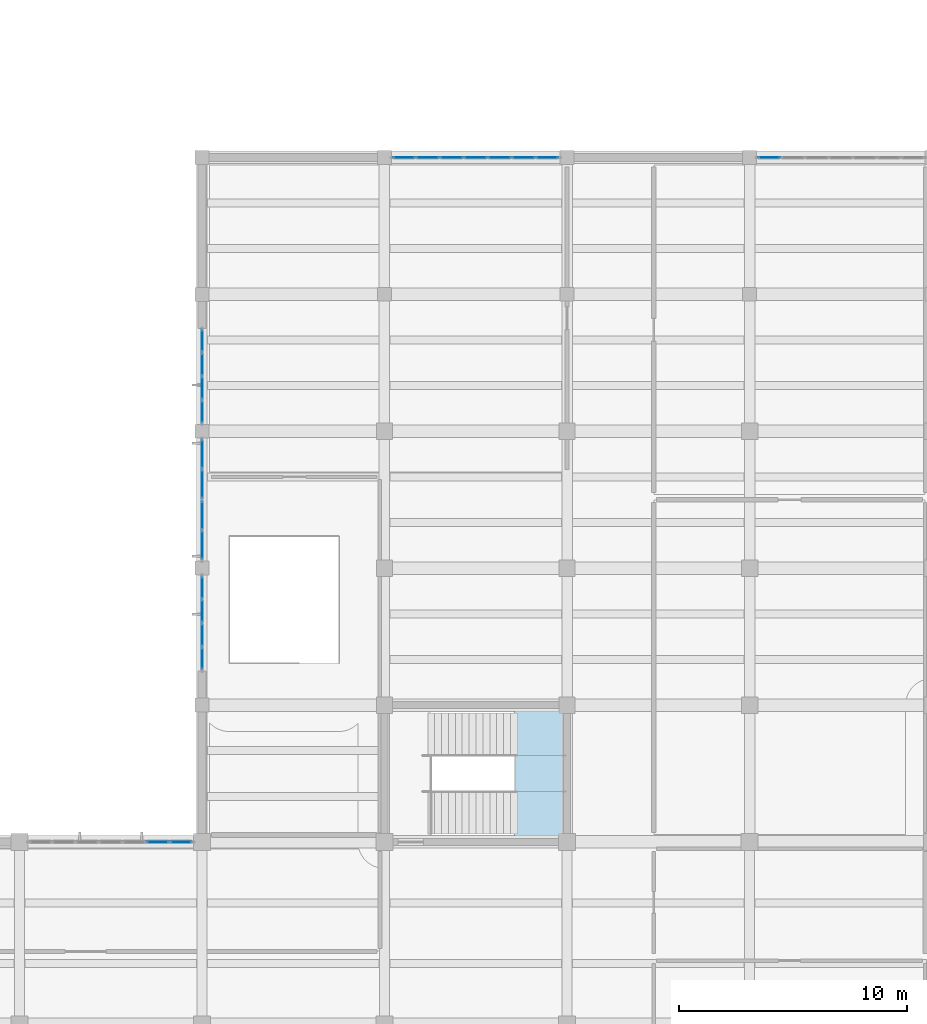
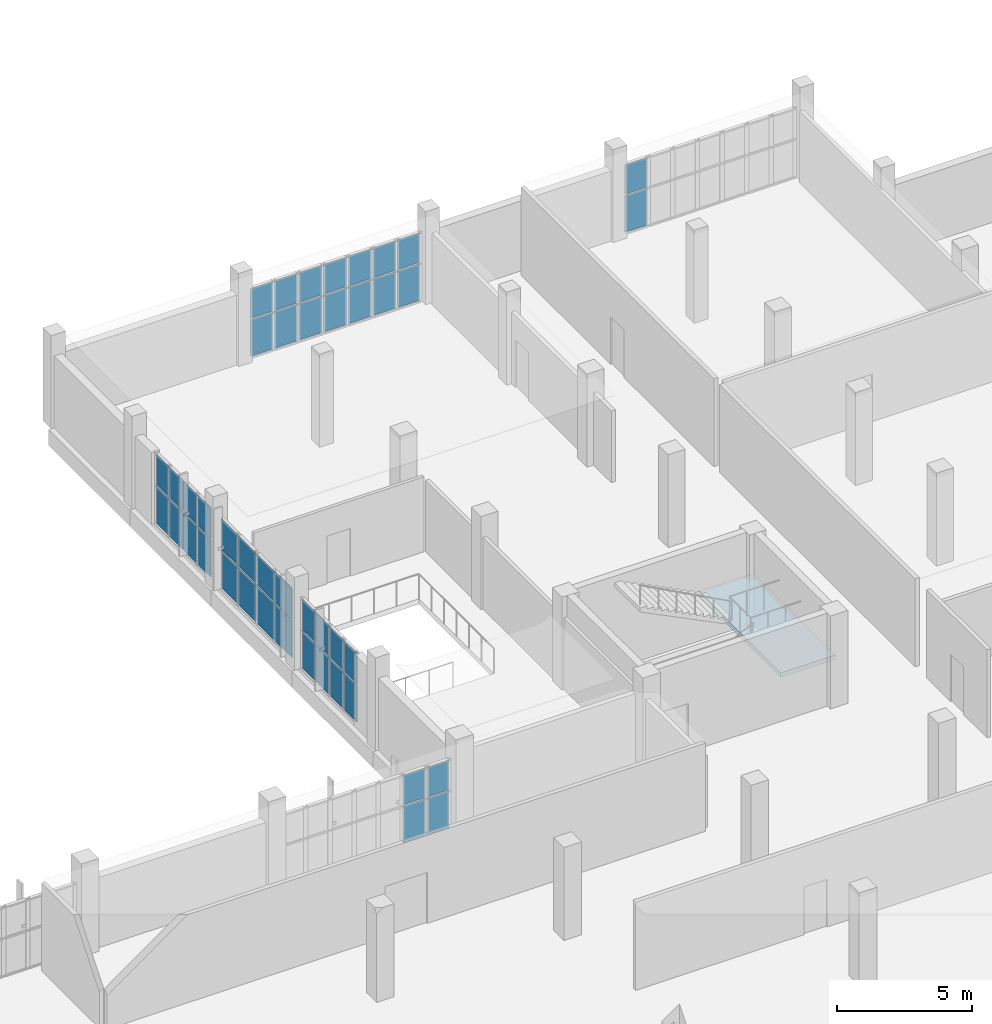
# One storey, part 52 of 85: 44 plates, 1 slab, 8 elements without a shape of their own.
"""IFC4 building model written with IfcOpenShell, lengths in metres."""

from ifc_helpers import new_model, si_unit, direction, frame, origin, origin_2d, place, context, subcontext, project, spatial, polyline, rectangle, outline, extrude, material, layer, layer_set, type_object, element, aggregate, save


model = new_model("IFC4")

# Units and contexts
model_context = context("Model", 3, precision=1e-05, world=origin(), true_north=direction((0.0, 1.0)))
body_context = subcontext(model_context, "Body", "Model", "MODEL_VIEW")
ifc_project = project(units=[si_unit("LENGTHUNIT", "METRE"), si_unit("AREAUNIT", "SQUARE_METRE"), si_unit("VOLUMEUNIT", "CUBIC_METRE"), si_unit("PLANEANGLEUNIT", "RADIAN"), si_unit("MASSUNIT", "GRAM", prefix="KILO")], contexts=[model_context])

# Site, building, storey
site_placement = place(None, origin())
site = spatial("IfcSite", under=ifc_project, at=site_placement, CompositionType="ELEMENT")
building_placement = place(site_placement, origin())
building = spatial("IfcBuilding", under=site, at=building_placement, Name="Solvane Community Centre", CompositionType="ELEMENT")
storey_placement = place(building_placement, frame((0.0, 0.0, 5.39990234375)))
storey = spatial("IfcBuildingStorey", under=building, at=storey_placement, Name="L01", CompositionType="ELEMENT", Elevation=5.39990234375)

# Curtain wall, plates
ifc_material_1 = material(Name="Anodised bronze aluminium AW-6063 T6", Category="aluminium")
ifc_layer_1 = layer(ifc_material_1, 0.18994140625)
ifc_layer_set_1 = layer_set([ifc_layer_1], Name="Anodised bronze aluminium AW-6063 T6")
curtain_wall_type_1 = type_object("IfcCurtainWallType", Name="Boulevard Bronze Vision Curtain Wall [27x32dm]", PredefinedType="NOTDEFINED", material=ifc_layer_set_1)
curtain_wall_1_placement = place(storey_placement, origin())
curtain_wall_1 = element("IfcCurtainWall", 1, at=curtain_wall_1_placement, inside=storey, type_object=curtain_wall_type_1, Name="Curtain Wall CW-L01-1080_423-115", PredefinedType="NOTDEFINED")
ifc_material_2 = material(Name="Tempered low-E double glazing", Category="glass")
ifc_layer_2 = layer(ifc_material_2, 0.028076171875)
ifc_layer_set_2 = layer_set([ifc_layer_2], Name="Tempered low-E double glazing")
plate_type_1 = type_object("IfcPlateType", Name="Low-E Vision Glazing Panel 28mm [27x32dm]", PredefinedType="CURTAIN_PANEL", material=ifc_layer_set_2)
plate_1_placement = place(storey_placement, frame((108.0, 43.0048828125, 0.06005859375), z_axis=(0.0, 0.0, 1.0), x_axis=(0.0, 1.0, 0.0)))
plate_1 = element("IfcPlate", 2, at=plate_1_placement, type_object=plate_type_1, Name="CW02-27x32 panel 1.1", PredefinedType="CURTAIN_PANEL", context=body_context, shape_type="SweptSolid", body=[
    extrude(rectangle(XDim=1.25, YDim=0.028076171875, at=origin_2d()), origin(), (0.0, 0.0, 1.0), 1.695068359375),
])
plate_2_placement = place(storey_placement, frame((108.0, 43.0048828125, 1.81494140625), z_axis=(0.0, 0.0, 1.0), x_axis=(0.0, 1.0, 0.0)))
plate_2 = element("IfcPlate", 3, at=plate_2_placement, type_object=plate_type_1, Name="CW02-27x32 panel 1.2", PredefinedType="CURTAIN_PANEL", context=body_context, shape_type="SweptSolid", body=[
    extrude(rectangle(XDim=1.25, YDim=0.028076171875, at=origin_2d()), origin(), (0.0, 0.0, 1.0), 1.3701171875),
])
plate_3_placement = place(storey_placement, frame((108.0, 44.31494140625, 0.06005859375), z_axis=(0.0, 0.0, 1.0), x_axis=(0.0, 1.0, 0.0)))
plate_3 = element("IfcPlate", 4, at=plate_3_placement, type_object=plate_type_1, Name="CW02-27x32 panel 2.1", PredefinedType="CURTAIN_PANEL", context=body_context, shape_type="SweptSolid", body=[
    extrude(rectangle(XDim=1.25, YDim=0.028076171875, at=origin_2d()), origin(), (0.0, 0.0, 1.0), 1.695068359375),
])
plate_4_placement = place(storey_placement, frame((108.0, 44.31494140625, 1.81494140625), z_axis=(0.0, 0.0, 1.0), x_axis=(0.0, 1.0, 0.0)))
plate_4 = element("IfcPlate", 5, at=plate_4_placement, type_object=plate_type_1, Name="CW02-27x32 panel 2.2", PredefinedType="CURTAIN_PANEL", context=body_context, shape_type="SweptSolid", body=[
    extrude(rectangle(XDim=1.25, YDim=0.028076171875, at=origin_2d()), origin(), (0.0, 0.0, 1.0), 1.3701171875),
])
aggregate(curtain_wall_1, [plate_1, plate_2, plate_3, plate_4])

curtain_wall_2_placement = place(storey_placement, origin())
curtain_wall_2 = element("IfcCurtainWall", 6, at=curtain_wall_2_placement, inside=storey, type_object=curtain_wall_type_1, Name="Curtain Wall CW-L01-1080_450-116", PredefinedType="NOTDEFINED")
plate_5_placement = place(storey_placement, frame((108.0, 45.68505859375, 0.06005859375), z_axis=(0.0, 0.0, 1.0), x_axis=(0.0, 1.0, 0.0)))
plate_5 = element("IfcPlate", 7, at=plate_5_placement, type_object=plate_type_1, Name="CW02-27x32 panel 1.1", PredefinedType="CURTAIN_PANEL", context=body_context, shape_type="SweptSolid", body=[
    extrude(rectangle(XDim=1.25, YDim=0.028076171875, at=origin_2d()), origin(), (0.0, 0.0, 1.0), 1.695068359375),
])
plate_6_placement = place(storey_placement, frame((108.0, 45.68505859375, 1.81494140625), z_axis=(0.0, 0.0, 1.0), x_axis=(0.0, 1.0, 0.0)))
plate_6 = element("IfcPlate", 8, at=plate_6_placement, type_object=plate_type_1, Name="CW02-27x32 panel 1.2", PredefinedType="CURTAIN_PANEL", context=body_context, shape_type="SweptSolid", body=[
    extrude(rectangle(XDim=1.25, YDim=0.028076171875, at=origin_2d()), origin(), (0.0, 0.0, 1.0), 1.3701171875),
])
plate_7_placement = place(storey_placement, frame((108.0, 46.9951171875, 0.06005859375), z_axis=(0.0, 0.0, 1.0), x_axis=(0.0, 1.0, 0.0)))
plate_7 = element("IfcPlate", 9, at=plate_7_placement, type_object=plate_type_1, Name="CW02-27x32 panel 2.1", PredefinedType="CURTAIN_PANEL", context=body_context, shape_type="SweptSolid", body=[
    extrude(rectangle(XDim=1.25, YDim=0.028076171875, at=origin_2d()), origin(), (0.0, 0.0, 1.0), 1.695068359375),
])
plate_8_placement = place(storey_placement, frame((108.0, 46.9951171875, 1.81494140625), z_axis=(0.0, 0.0, 1.0), x_axis=(0.0, 1.0, 0.0)))
plate_8 = element("IfcPlate", 10, at=plate_8_placement, type_object=plate_type_1, Name="CW02-27x32 panel 2.2", PredefinedType="CURTAIN_PANEL", context=body_context, shape_type="SweptSolid", body=[
    extrude(rectangle(XDim=1.25, YDim=0.028076171875, at=origin_2d()), origin(), (0.0, 0.0, 1.0), 1.3701171875),
])
aggregate(curtain_wall_2, [plate_5, plate_6, plate_7, plate_8])

ifc_layer_3 = layer(ifc_material_1, 0.18994140625)
ifc_layer_set_3 = layer_set([ifc_layer_3], Name="Anodised bronze aluminium AW-6063 T6")
curtain_wall_type_2 = type_object("IfcCurtainWallType", Name="Boulevard Bronze Vision Curtain Wall [42x32dm]", PredefinedType="NOTDEFINED", material=ifc_layer_set_3)
curtain_wall_3_placement = place(storey_placement, origin())
curtain_wall_3 = element("IfcCurtainWall", 11, at=curtain_wall_3_placement, inside=storey, type_object=curtain_wall_type_2, Name="Curtain Wall CW-L01-1080_375-114", PredefinedType="NOTDEFINED")
ifc_layer_4 = layer(ifc_material_2, 0.028076171875)
ifc_layer_set_4 = layer_set([ifc_layer_4], Name="Tempered low-E double glazing")
plate_type_2 = type_object("IfcPlateType", Name="Low-E Vision Glazing Panel 28mm [42x32dm]", PredefinedType="CURTAIN_PANEL", material=ifc_layer_set_4)
plate_9_placement = place(storey_placement, frame((108.0, 38.03759765625, 0.06005859375), z_axis=(0.0, 0.0, 1.0), x_axis=(0.0, 1.0, 0.0)))
plate_9 = element("IfcPlate", 12, at=plate_9_placement, type_object=plate_type_2, Name="CW02-42x32 panel 1.1", PredefinedType="CURTAIN_PANEL", context=body_context, shape_type="SweptSolid", body=[
    extrude(rectangle(XDim=0.955078125, YDim=0.028076171875, at=origin_2d()), origin(), (0.0, 0.0, 1.0), 1.695068359375),
])
plate_10_placement = place(storey_placement, frame((108.0, 38.03759765625, 1.81494140625), z_axis=(0.0, 0.0, 1.0), x_axis=(0.0, 1.0, 0.0)))
plate_10 = element("IfcPlate", 13, at=plate_10_placement, type_object=plate_type_2, Name="CW02-42x32 panel 1.2", PredefinedType="CURTAIN_PANEL", context=body_context, shape_type="SweptSolid", body=[
    extrude(rectangle(XDim=0.955078125, YDim=0.028076171875, at=origin_2d()), origin(), (0.0, 0.0, 1.0), 1.3701171875),
])
plate_11_placement = place(storey_placement, frame((108.0, 39.0673828125, 0.06005859375), z_axis=(0.0, 0.0, 1.0), x_axis=(0.0, 1.0, 0.0)))
plate_11 = element("IfcPlate", 14, at=plate_11_placement, type_object=plate_type_2, Name="CW02-42x32 panel 2.1", PredefinedType="CURTAIN_PANEL", context=body_context, shape_type="SweptSolid", body=[
    extrude(rectangle(XDim=0.985107421875, YDim=0.028076171875, at=origin_2d()), origin(), (0.0, 0.0, 1.0), 1.695068359375),
])
plate_12_placement = place(storey_placement, frame((108.0, 39.0673828125, 1.81494140625), z_axis=(0.0, 0.0, 1.0), x_axis=(0.0, 1.0, 0.0)))
plate_12 = element("IfcPlate", 15, at=plate_12_placement, type_object=plate_type_2, Name="CW02-42x32 panel 2.2", PredefinedType="CURTAIN_PANEL", context=body_context, shape_type="SweptSolid", body=[
    extrude(rectangle(XDim=0.985107421875, YDim=0.028076171875, at=origin_2d()), origin(), (0.0, 0.0, 1.0), 1.3701171875),
])
plate_13_placement = place(storey_placement, frame((108.0, 40.112548828125, 0.06005859375), z_axis=(0.0, 0.0, 1.0), x_axis=(0.0, 1.0, 0.0)))
plate_13 = element("IfcPlate", 16, at=plate_13_placement, type_object=plate_type_2, Name="CW02-42x32 panel 3.1", PredefinedType="CURTAIN_PANEL", context=body_context, shape_type="SweptSolid", body=[
    extrude(rectangle(XDim=0.985107421875, YDim=0.028076171875, at=origin_2d()), origin(), (0.0, 0.0, 1.0), 1.695068359375),
])
plate_14_placement = place(storey_placement, frame((108.0, 40.112548828125, 1.81494140625), z_axis=(0.0, 0.0, 1.0), x_axis=(0.0, 1.0, 0.0)))
plate_14 = element("IfcPlate", 17, at=plate_14_placement, type_object=plate_type_2, Name="CW02-42x32 panel 3.2", PredefinedType="CURTAIN_PANEL", context=body_context, shape_type="SweptSolid", body=[
    extrude(rectangle(XDim=0.985107421875, YDim=0.028076171875, at=origin_2d()), origin(), (0.0, 0.0, 1.0), 1.3701171875),
])
plate_15_placement = place(storey_placement, frame((108.0, 41.142578125, 0.06005859375), z_axis=(0.0, 0.0, 1.0), x_axis=(0.0, 1.0, 0.0)))
plate_15 = element("IfcPlate", 18, at=plate_15_placement, type_object=plate_type_2, Name="CW02-42x32 panel 4.1", PredefinedType="CURTAIN_PANEL", context=body_context, shape_type="SweptSolid", body=[
    extrude(rectangle(XDim=0.955078125, YDim=0.028076171875, at=origin_2d()), origin(), (0.0, 0.0, 1.0), 1.695068359375),
])
plate_16_placement = place(storey_placement, frame((108.0, 41.142578125, 1.81494140625), z_axis=(0.0, 0.0, 1.0), x_axis=(0.0, 1.0, 0.0)))
plate_16 = element("IfcPlate", 19, at=plate_16_placement, type_object=plate_type_2, Name="CW02-42x32 panel 4.2", PredefinedType="CURTAIN_PANEL", context=body_context, shape_type="SweptSolid", body=[
    extrude(rectangle(XDim=0.955078125, YDim=0.028076171875, at=origin_2d()), origin(), (0.0, 0.0, 1.0), 1.3701171875),
])
aggregate(curtain_wall_3, [plate_9, plate_10, plate_11, plate_12, plate_13, plate_14, plate_15, plate_16])

curtain_wall_4_placement = place(storey_placement, origin())
curtain_wall_4 = element("IfcCurtainWall", 20, at=curtain_wall_4_placement, inside=storey, type_object=curtain_wall_type_2, Name="Curtain Wall CW-L01-1080_483-117", PredefinedType="NOTDEFINED")
plate_17_placement = place(storey_placement, frame((108.0, 48.857421875, 0.06005859375), z_axis=(0.0, 0.0, 1.0), x_axis=(0.0, 1.0, 0.0)))
plate_17 = element("IfcPlate", 21, at=plate_17_placement, type_object=plate_type_2, Name="CW02-42x32 panel 1.1", PredefinedType="CURTAIN_PANEL", context=body_context, shape_type="SweptSolid", body=[
    extrude(rectangle(XDim=0.955078125, YDim=0.028076171875, at=origin_2d()), origin(), (0.0, 0.0, 1.0), 1.695068359375),
])
plate_18_placement = place(storey_placement, frame((108.0, 48.857421875, 1.81494140625), z_axis=(0.0, 0.0, 1.0), x_axis=(0.0, 1.0, 0.0)))
plate_18 = element("IfcPlate", 22, at=plate_18_placement, type_object=plate_type_2, Name="CW02-42x32 panel 1.2", PredefinedType="CURTAIN_PANEL", context=body_context, shape_type="SweptSolid", body=[
    extrude(rectangle(XDim=0.955078125, YDim=0.028076171875, at=origin_2d()), origin(), (0.0, 0.0, 1.0), 1.3701171875),
])
plate_19_placement = place(storey_placement, frame((108.0, 49.887451171875, 0.06005859375), z_axis=(0.0, 0.0, 1.0), x_axis=(0.0, 1.0, 0.0)))
plate_19 = element("IfcPlate", 23, at=plate_19_placement, type_object=plate_type_2, Name="CW02-42x32 panel 2.1", PredefinedType="CURTAIN_PANEL", context=body_context, shape_type="SweptSolid", body=[
    extrude(rectangle(XDim=0.985107421875, YDim=0.028076171875, at=origin_2d()), origin(), (0.0, 0.0, 1.0), 1.695068359375),
])
plate_20_placement = place(storey_placement, frame((108.0, 49.887451171875, 1.81494140625), z_axis=(0.0, 0.0, 1.0), x_axis=(0.0, 1.0, 0.0)))
plate_20 = element("IfcPlate", 24, at=plate_20_placement, type_object=plate_type_2, Name="CW02-42x32 panel 2.2", PredefinedType="CURTAIN_PANEL", context=body_context, shape_type="SweptSolid", body=[
    extrude(rectangle(XDim=0.985107421875, YDim=0.028076171875, at=origin_2d()), origin(), (0.0, 0.0, 1.0), 1.3701171875),
])
plate_21_placement = place(storey_placement, frame((108.0, 50.9326171875, 0.06005859375), z_axis=(0.0, 0.0, 1.0), x_axis=(0.0, 1.0, 0.0)))
plate_21 = element("IfcPlate", 25, at=plate_21_placement, type_object=plate_type_2, Name="CW02-42x32 panel 3.1", PredefinedType="CURTAIN_PANEL", context=body_context, shape_type="SweptSolid", body=[
    extrude(rectangle(XDim=0.985107421875, YDim=0.028076171875, at=origin_2d()), origin(), (0.0, 0.0, 1.0), 1.695068359375),
])
plate_22_placement = place(storey_placement, frame((108.0, 50.9326171875, 1.81494140625), z_axis=(0.0, 0.0, 1.0), x_axis=(0.0, 1.0, 0.0)))
plate_22 = element("IfcPlate", 26, at=plate_22_placement, type_object=plate_type_2, Name="CW02-42x32 panel 3.2", PredefinedType="CURTAIN_PANEL", context=body_context, shape_type="SweptSolid", body=[
    extrude(rectangle(XDim=0.985107421875, YDim=0.028076171875, at=origin_2d()), origin(), (0.0, 0.0, 1.0), 1.3701171875),
])
plate_23_placement = place(storey_placement, frame((108.0, 51.96240234375, 0.06005859375), z_axis=(0.0, 0.0, 1.0), x_axis=(0.0, 1.0, 0.0)))
plate_23 = element("IfcPlate", 27, at=plate_23_placement, type_object=plate_type_2, Name="CW02-42x32 panel 4.1", PredefinedType="CURTAIN_PANEL", context=body_context, shape_type="SweptSolid", body=[
    extrude(rectangle(XDim=0.955078125, YDim=0.028076171875, at=origin_2d()), origin(), (0.0, 0.0, 1.0), 1.695068359375),
])
plate_24_placement = place(storey_placement, frame((108.0, 51.96240234375, 1.81494140625), z_axis=(0.0, 0.0, 1.0), x_axis=(0.0, 1.0, 0.0)))
plate_24 = element("IfcPlate", 28, at=plate_24_placement, type_object=plate_type_2, Name="CW02-42x32 panel 4.2", PredefinedType="CURTAIN_PANEL", context=body_context, shape_type="SweptSolid", body=[
    extrude(rectangle(XDim=0.955078125, YDim=0.028076171875, at=origin_2d()), origin(), (0.0, 0.0, 1.0), 1.3701171875),
])
aggregate(curtain_wall_4, [plate_17, plate_18, plate_19, plate_20, plate_21, plate_22, plate_23, plate_24])

ifc_layer_5 = layer(ifc_material_1, 0.18994140625)
ifc_layer_set_5 = layer_set([ifc_layer_5], Name="Anodised bronze aluminium AW-6063 T6")
curtain_wall_type_3 = type_object("IfcCurtainWallType", Name="Boulevard Bronze Vision Curtain Wall [72x32dm]", PredefinedType="NOTDEFINED", material=ifc_layer_set_5)
curtain_wall_5_placement = place(storey_placement, origin())
curtain_wall_5 = element("IfcCurtainWall", 29, at=curtain_wall_5_placement, inside=storey, type_object=curtain_wall_type_3, Name="Curtain Wall CW-L01-1004_300-113", PredefinedType="NOTDEFINED")
ifc_layer_6 = layer(ifc_material_2, 0.028076171875)
ifc_layer_set_6 = layer_set([ifc_layer_6], Name="Tempered low-E double glazing")
plate_type_3 = type_object("IfcPlateType", Name="Low-E Vision Glazing Panel 28mm [72x32dm]", PredefinedType="CURTAIN_PANEL", material=ifc_layer_set_6)
plate_25_placement = place(storey_placement, frame((106.062744140625, 30.0, 0.06005859375), z_axis=(0.0, 0.0, 1.0), x_axis=(1.0, 0.0, 0.0)))
plate_25 = element("IfcPlate", 30, at=plate_25_placement, type_object=plate_type_3, Name="CW02-72x32 panel 6.1", PredefinedType="CURTAIN_PANEL", context=body_context, shape_type="SweptSolid", body=[
    extrude(rectangle(XDim=0.971435546875, YDim=0.028076171875, at=origin_2d()), origin(), (0.0, 0.0, 1.0), 1.65087890625),
])
plate_26_placement = place(storey_placement, frame((106.062744140625, 30.0, 1.77099609375), z_axis=(0.0, 0.0, 1.0), x_axis=(1.0, 0.0, 0.0)))
plate_26 = element("IfcPlate", 31, at=plate_26_placement, type_object=plate_type_3, Name="CW02-72x32 panel 6.2", PredefinedType="CURTAIN_PANEL", context=body_context, shape_type="SweptSolid", body=[
    extrude(rectangle(XDim=0.971435546875, YDim=0.028076171875, at=origin_2d()), origin(), (0.0, 0.0, 1.0), 1.333984375),
])
plate_27_placement = place(storey_placement, frame((107.079345703125, 30.0, 0.06005859375), z_axis=(0.0, 0.0, 1.0), x_axis=(1.0, 0.0, 0.0)))
plate_27 = element("IfcPlate", 32, at=plate_27_placement, type_object=plate_type_3, Name="CW02-72x32 panel 7.1", PredefinedType="CURTAIN_PANEL", context=body_context, shape_type="SweptSolid", body=[
    extrude(rectangle(XDim=0.94140625, YDim=0.028076171875, at=origin_2d()), origin(), (0.0, 0.0, 1.0), 1.65087890625),
])
plate_28_placement = place(storey_placement, frame((107.079345703125, 30.0, 1.77099609375), z_axis=(0.0, 0.0, 1.0), x_axis=(1.0, 0.0, 0.0)))
plate_28 = element("IfcPlate", 33, at=plate_28_placement, type_object=plate_type_3, Name="CW02-72x32 panel 7.2", PredefinedType="CURTAIN_PANEL", context=body_context, shape_type="SweptSolid", body=[
    extrude(rectangle(XDim=0.94140625, YDim=0.028076171875, at=origin_2d()), origin(), (0.0, 0.0, 1.0), 1.333984375),
])
aggregate(curtain_wall_5, [plate_25, plate_26, plate_27, plate_28])

ifc_layer_7 = layer(ifc_material_1, 0.18994140625)
ifc_layer_set_7 = layer_set([ifc_layer_7], Name="Anodised bronze aluminium AW-6063 T6")
curtain_wall_type_4 = type_object("IfcCurtainWallType", Name="Boulevard Bronze Vision Curtain Wall [74x32dm]", PredefinedType="NOTDEFINED", material=ifc_layer_set_7)
curtain_wall_6_placement = place(storey_placement, origin())
curtain_wall_6 = element("IfcCurtainWall", 34, at=curtain_wall_6_placement, inside=storey, type_object=curtain_wall_type_4, Name="Curtain Wall CW-L01-1163_600-118", PredefinedType="NOTDEFINED")
ifc_layer_8 = layer(ifc_material_2, 0.028076171875)
ifc_layer_set_8 = layer_set([ifc_layer_8], Name="Tempered low-E double glazing")
plate_type_4 = type_object("IfcPlateType", Name="Low-E Vision Glazing Panel 28mm [74x32dm]", PredefinedType="CURTAIN_PANEL", material=ifc_layer_set_8)
plate_29_placement = place(storey_placement, frame((116.8564453125, 60.0, 0.06005859375), z_axis=(0.0, 0.0, 1.0), x_axis=(1.0, 0.0, 0.0)))
plate_29 = element("IfcPlate", 35, at=plate_29_placement, type_object=plate_type_4, Name="CW02-74x32 panel 1.1", PredefinedType="CURTAIN_PANEL", context=body_context, shape_type="SweptSolid", body=[
    extrude(rectangle(XDim=0.962890625, YDim=0.028076171875, at=origin_2d()), origin(), (0.0, 0.0, 1.0), 1.65087890625),
])
plate_30_placement = place(storey_placement, frame((116.8564453125, 60.0, 1.77099609375), z_axis=(0.0, 0.0, 1.0), x_axis=(1.0, 0.0, 0.0)))
plate_30 = element("IfcPlate", 36, at=plate_30_placement, type_object=plate_type_4, Name="CW02-74x32 panel 1.2", PredefinedType="CURTAIN_PANEL", context=body_context, shape_type="SweptSolid", body=[
    extrude(rectangle(XDim=0.962890625, YDim=0.028076171875, at=origin_2d()), origin(), (0.0, 0.0, 1.0), 1.333984375),
])
plate_31_placement = place(storey_placement, frame((117.894287109375, 60.0, 0.06005859375), z_axis=(0.0, 0.0, 1.0), x_axis=(1.0, 0.0, 0.0)))
plate_31 = element("IfcPlate", 37, at=plate_31_placement, type_object=plate_type_4, Name="CW02-74x32 panel 2.1", PredefinedType="CURTAIN_PANEL", context=body_context, shape_type="SweptSolid", body=[
    extrude(rectangle(XDim=0.992919921875, YDim=0.028076171875, at=origin_2d()), origin(), (0.0, 0.0, 1.0), 1.65087890625),
])
plate_32_placement = place(storey_placement, frame((117.894287109375, 60.0, 1.77099609375), z_axis=(0.0, 0.0, 1.0), x_axis=(1.0, 0.0, 0.0)))
plate_32 = element("IfcPlate", 38, at=plate_32_placement, type_object=plate_type_4, Name="CW02-74x32 panel 2.2", PredefinedType="CURTAIN_PANEL", context=body_context, shape_type="SweptSolid", body=[
    extrude(rectangle(XDim=0.992919921875, YDim=0.028076171875, at=origin_2d()), origin(), (0.0, 0.0, 1.0), 1.333984375),
])
plate_33_placement = place(storey_placement, frame((118.947021484375, 60.0, 0.06005859375), z_axis=(0.0, 0.0, 1.0), x_axis=(1.0, 0.0, 0.0)))
plate_33 = element("IfcPlate", 39, at=plate_33_placement, type_object=plate_type_4, Name="CW02-74x32 panel 3.1", PredefinedType="CURTAIN_PANEL", context=body_context, shape_type="SweptSolid", body=[
    extrude(rectangle(XDim=0.992919921875, YDim=0.028076171875, at=origin_2d()), origin(), (0.0, 0.0, 1.0), 1.65087890625),
])
plate_34_placement = place(storey_placement, frame((118.947021484375, 60.0, 1.77099609375), z_axis=(0.0, 0.0, 1.0), x_axis=(1.0, 0.0, 0.0)))
plate_34 = element("IfcPlate", 40, at=plate_34_placement, type_object=plate_type_4, Name="CW02-74x32 panel 3.2", PredefinedType="CURTAIN_PANEL", context=body_context, shape_type="SweptSolid", body=[
    extrude(rectangle(XDim=0.992919921875, YDim=0.028076171875, at=origin_2d()), origin(), (0.0, 0.0, 1.0), 1.333984375),
])
plate_35_placement = place(storey_placement, frame((120.0, 60.0, 0.06005859375), z_axis=(0.0, 0.0, 1.0), x_axis=(1.0, 0.0, 0.0)))
plate_35 = element("IfcPlate", 41, at=plate_35_placement, type_object=plate_type_4, Name="CW02-74x32 panel 4.1", PredefinedType="CURTAIN_PANEL", context=body_context, shape_type="SweptSolid", body=[
    extrude(rectangle(XDim=0.992919921875, YDim=0.028076171875, at=origin_2d()), origin(), (0.0, 0.0, 1.0), 1.65087890625),
])
plate_36_placement = place(storey_placement, frame((120.0, 60.0, 1.77099609375), z_axis=(0.0, 0.0, 1.0), x_axis=(1.0, 0.0, 0.0)))
plate_36 = element("IfcPlate", 42, at=plate_36_placement, type_object=plate_type_4, Name="CW02-74x32 panel 4.2", PredefinedType="CURTAIN_PANEL", context=body_context, shape_type="SweptSolid", body=[
    extrude(rectangle(XDim=0.992919921875, YDim=0.028076171875, at=origin_2d()), origin(), (0.0, 0.0, 1.0), 1.333984375),
])
plate_37_placement = place(storey_placement, frame((121.052978515625, 60.0, 0.06005859375), z_axis=(0.0, 0.0, 1.0), x_axis=(1.0, 0.0, 0.0)))
plate_37 = element("IfcPlate", 43, at=plate_37_placement, type_object=plate_type_4, Name="CW02-74x32 panel 5.1", PredefinedType="CURTAIN_PANEL", context=body_context, shape_type="SweptSolid", body=[
    extrude(rectangle(XDim=0.992919921875, YDim=0.028076171875, at=origin_2d()), origin(), (0.0, 0.0, 1.0), 1.65087890625),
])
plate_38_placement = place(storey_placement, frame((121.052978515625, 60.0, 1.77099609375), z_axis=(0.0, 0.0, 1.0), x_axis=(1.0, 0.0, 0.0)))
plate_38 = element("IfcPlate", 44, at=plate_38_placement, type_object=plate_type_4, Name="CW02-74x32 panel 5.2", PredefinedType="CURTAIN_PANEL", context=body_context, shape_type="SweptSolid", body=[
    extrude(rectangle(XDim=0.992919921875, YDim=0.028076171875, at=origin_2d()), origin(), (0.0, 0.0, 1.0), 1.333984375),
])
plate_39_placement = place(storey_placement, frame((122.105712890625, 60.0, 0.06005859375), z_axis=(0.0, 0.0, 1.0), x_axis=(1.0, 0.0, 0.0)))
plate_39 = element("IfcPlate", 45, at=plate_39_placement, type_object=plate_type_4, Name="CW02-74x32 panel 6.1", PredefinedType="CURTAIN_PANEL", context=body_context, shape_type="SweptSolid", body=[
    extrude(rectangle(XDim=0.992919921875, YDim=0.028076171875, at=origin_2d()), origin(), (0.0, 0.0, 1.0), 1.65087890625),
])
plate_40_placement = place(storey_placement, frame((122.105712890625, 60.0, 1.77099609375), z_axis=(0.0, 0.0, 1.0), x_axis=(1.0, 0.0, 0.0)))
plate_40 = element("IfcPlate", 46, at=plate_40_placement, type_object=plate_type_4, Name="CW02-74x32 panel 6.2", PredefinedType="CURTAIN_PANEL", context=body_context, shape_type="SweptSolid", body=[
    extrude(rectangle(XDim=0.992919921875, YDim=0.028076171875, at=origin_2d()), origin(), (0.0, 0.0, 1.0), 1.333984375),
])
plate_41_placement = place(storey_placement, frame((123.1435546875, 60.0, 0.06005859375), z_axis=(0.0, 0.0, 1.0), x_axis=(1.0, 0.0, 0.0)))
plate_41 = element("IfcPlate", 47, at=plate_41_placement, type_object=plate_type_4, Name="CW02-74x32 panel 7.1", PredefinedType="CURTAIN_PANEL", context=body_context, shape_type="SweptSolid", body=[
    extrude(rectangle(XDim=0.962890625, YDim=0.028076171875, at=origin_2d()), origin(), (0.0, 0.0, 1.0), 1.65087890625),
])
plate_42_placement = place(storey_placement, frame((123.1435546875, 60.0, 1.77099609375), z_axis=(0.0, 0.0, 1.0), x_axis=(1.0, 0.0, 0.0)))
plate_42 = element("IfcPlate", 48, at=plate_42_placement, type_object=plate_type_4, Name="CW02-74x32 panel 7.2", PredefinedType="CURTAIN_PANEL", context=body_context, shape_type="SweptSolid", body=[
    extrude(rectangle(XDim=0.962890625, YDim=0.028076171875, at=origin_2d()), origin(), (0.0, 0.0, 1.0), 1.333984375),
])
aggregate(curtain_wall_6, [plate_29, plate_30, plate_31, plate_32, plate_33, plate_34, plate_35, plate_36, plate_37, plate_38, plate_39, plate_40, plate_41, plate_42])

curtain_wall_7_placement = place(storey_placement, origin())
curtain_wall_7 = element("IfcCurtainWall", 49, at=curtain_wall_7_placement, inside=storey, type_object=curtain_wall_type_4, Name="Curtain Wall CW-L01-1323_600-119", PredefinedType="NOTDEFINED")
plate_43_placement = place(storey_placement, frame((132.8564453125, 60.0, 0.06005859375), z_axis=(0.0, 0.0, 1.0), x_axis=(1.0, 0.0, 0.0)))
plate_43 = element("IfcPlate", 50, at=plate_43_placement, type_object=plate_type_4, Name="CW02-74x32 panel 1.1", PredefinedType="CURTAIN_PANEL", context=body_context, shape_type="SweptSolid", body=[
    extrude(rectangle(XDim=0.962890625, YDim=0.028076171875, at=origin_2d()), origin(), (0.0, 0.0, 1.0), 1.65087890625),
])
plate_44_placement = place(storey_placement, frame((132.8564453125, 60.0, 1.77099609375), z_axis=(0.0, 0.0, 1.0), x_axis=(1.0, 0.0, 0.0)))
plate_44 = element("IfcPlate", 51, at=plate_44_placement, type_object=plate_type_4, Name="CW02-74x32 panel 1.2", PredefinedType="CURTAIN_PANEL", context=body_context, shape_type="SweptSolid", body=[
    extrude(rectangle(XDim=0.962890625, YDim=0.028076171875, at=origin_2d()), origin(), (0.0, 0.0, 1.0), 1.333984375),
])
aggregate(curtain_wall_7, [plate_43, plate_44])

# Stair, slab
ifc_material_3 = material(Name="Concrete C35/45", Category="concrete")
stair_type = type_object("IfcStairType", Name="RC Two-Flight Escape Stair 1880mm", PredefinedType="TWO_STRAIGHT_RUN_STAIR", material=ifc_material_3)
stair_placement = place(storey_placement, origin())
stair = element("IfcStair", 52, at=stair_placement, inside=storey, type_object=stair_type, Name="Stair STR-C4-L01", PredefinedType="TWO_STRAIGHT_RUN_STAIR")
ifc_layer_9 = layer(ifc_material_3, 0.199951171875)
ifc_layer_set_9 = layer_set([ifc_layer_9], Name="Concrete C35/45")
slab_type = type_object("IfcSlabType", Name="RC Stair Half-Landing Slab 200mm", PredefinedType="LANDING", material=ifc_layer_set_9)
slab_placement = place(storey_placement, frame((0.0, 0.0, 1.900146484375)))
slab = element("IfcSlab", 53, at=slab_placement, type_object=slab_type, Name="ST-06 landing 1", PredefinedType="LANDING", context=body_context, shape_type="SweptSolid", body=[
    extrude(outline(polyline([(121.699951171875, 29.9599609375), (124.0400390625, 29.9599609375), (124.0400390625, 36.0400390625), (121.699951171875, 36.0400390625), (121.699951171875, 29.9599609375)])), origin(), (0.0, 0.0, 1.0), 0.199951171875),
])
aggregate(stair, [slab])

save(model, "model.ifc")
